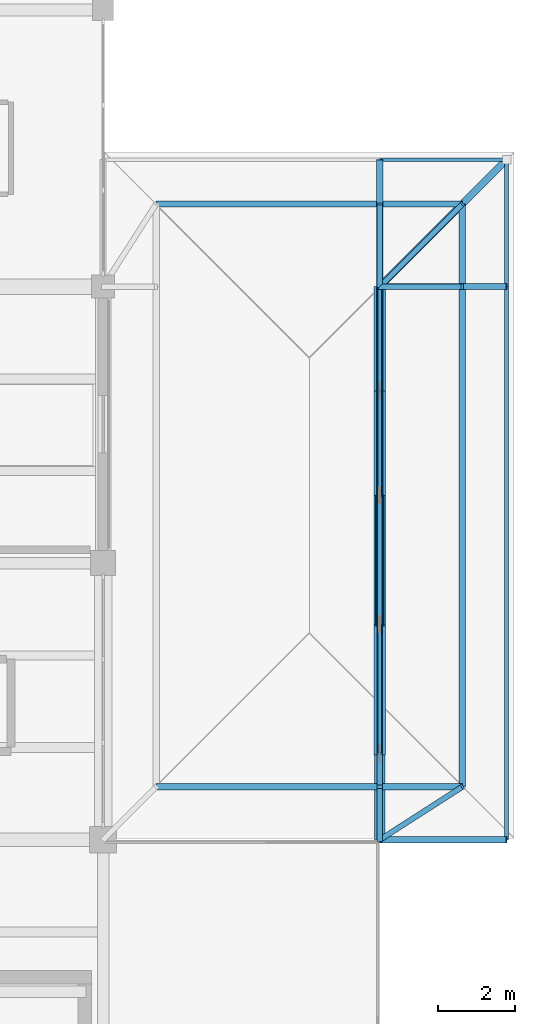
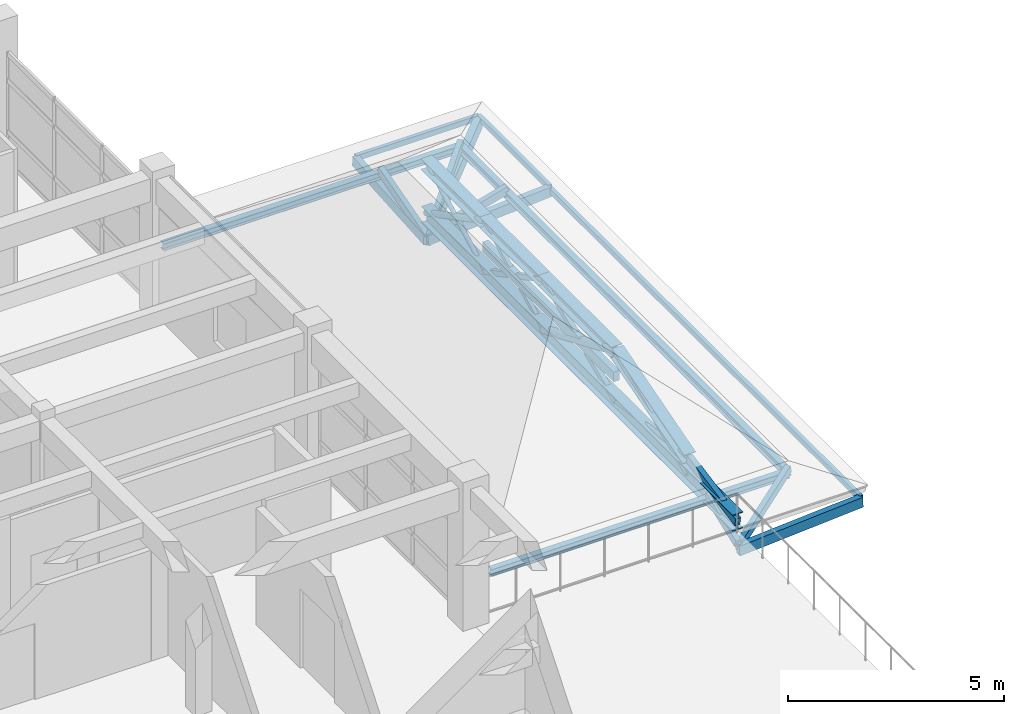
# One storey, part 22 of 55: 32 members, 1 beam.
"""IFC4 building model written with IfcOpenShell, lengths in metres."""

from ifc_helpers import new_model, si_unit, direction, frame, origin, origin_2d, place, context, subcontext, project, spatial, rectangle, hollow_rectangle, hollow_circle, i_section, extrude, material, material_profile, profile_set, type_object, element, save


model = new_model("IFC4")

# Units and contexts
model_context = context("Model", 3, precision=1e-05, world=origin(), true_north=direction((0.0, 1.0)))
body_context = subcontext(model_context, "Body", "Model", "MODEL_VIEW")
ifc_project = project(units=[si_unit("LENGTHUNIT", "METRE"), si_unit("AREAUNIT", "SQUARE_METRE"), si_unit("VOLUMEUNIT", "CUBIC_METRE"), si_unit("PLANEANGLEUNIT", "RADIAN"), si_unit("MASSUNIT", "GRAM", prefix="KILO")], contexts=[model_context])

# Site, building, storey
site_placement = place(None, origin())
site = spatial("IfcSite", under=ifc_project, at=site_placement, CompositionType="ELEMENT")
building_placement = place(site_placement, origin())
building = spatial("IfcBuilding", under=site, at=building_placement, Name="Steenspoor Specialist Clinic", CompositionType="ELEMENT")
storey_placement = place(building_placement, frame((0.0, 0.0, 13.199951171875)))
storey = spatial("IfcBuildingStorey", under=building, at=storey_placement, Name="L03", CompositionType="ELEMENT", Elevation=13.199951171875)

# Beam
ifc_material_1 = material(Name="Steel A992 Grade 50", Category="steel")
ifc_material_profile_1 = material_profile(ifc_material_1, i_section(OverallWidth=0.280029296875, OverallDepth=0.462890625, WebThickness=0.0107421875, FlangeThickness=0.017333984375, at=origin_2d()), Name="W460X113")
ifc_profile_set_1 = profile_set([ifc_material_profile_1], Name="Steel A992 Grade 50")
beam_type = type_object("IfcBeamType", Name="BM-ST-W460X113", PredefinedType="BEAM", material=ifc_profile_set_1)
beam_placement = place(storey_placement, frame((154.0, 79.550048828125, 0.25146484375), z_axis=(0.0, 1.0, 0.0), x_axis=(-1.0, 0.0, 0.0)))
element("IfcBeam", 1, at=beam_placement, inside=storey, type_object=beam_type, Name="ROOF TRUSS Bottom Tie Chord V6T2 2", PredefinedType="BEAM", context=body_context, shape_type="SweptSolid", body=[
    extrude(i_section(OverallWidth=0.280029296875, OverallDepth=0.462890625, WebThickness=0.0107421875, FlangeThickness=0.017333984375, at=origin_2d()), origin(), (0.0, 0.0, 1.0), 14.39990234375),
])

# Members
ifc_material_2 = material(Name="Steel A500 Grade C", Category="steel")
ifc_material_profile_2 = material_profile(ifc_material_2, hollow_circle(Radius=0.084228515625, WallThickness=0.007080078125, at=origin_2d()), Name="CHS168X7.1")
ifc_profile_set_2 = profile_set([ifc_material_profile_2], Name="Steel A500 Grade C")
member_type_1 = type_object("IfcMemberType", Name="MEM-BRACE-CHS168", PredefinedType="BRACE", material=ifc_profile_set_2)
member_1_placement = place(storey_placement, frame((154.0, 91.232421875, 1.673095703125), z_axis=(0.0, 0.88607758962, -0.463536951249), x_axis=(-1.0, 0.0, 0.0)))
element("IfcMember", 2, at=member_1_placement, inside=storey, type_object=member_type_1, Name="ROOF TRUSS Web Brace V6T2 2.4", PredefinedType="BRACE", context=body_context, shape_type="SweptSolid", body=[
    extrude(hollow_circle(Radius=0.084228515625, WallThickness=0.007080078125, at=origin_2d()), origin(), (0.0, 0.0, 1.0), 3.06689453125),
])
ifc_material_profile_3 = material_profile(ifc_material_2, hollow_rectangle(XDim=0.126953125, YDim=0.126953125, WallThickness=0.0087890625, at=origin_2d()), Name="HSS127X127X9.5")
ifc_profile_set_3 = profile_set([ifc_material_profile_3], Name="Steel A500 Grade C")
member_type_2 = type_object("IfcMemberType", Name="MEM-BRACE-H127A", PredefinedType="BRACE", material=ifc_profile_set_3)
member_2_placement = place(storey_placement, frame((154.0, 85.157470703125, 0.25146484375), z_axis=(0.0, 0.920850762942, 0.389915211795), x_axis=(-1.0, 0.0, 0.0)))
element("IfcMember", 3, at=member_2_placement, inside=storey, type_object=member_type_2, Name="ROOF TRUSS Web Brace V6T2 2.2", PredefinedType="BRACE", context=body_context, shape_type="SweptSolid", body=[
    extrude(hollow_rectangle(XDim=0.126953125, YDim=0.126953125, WallThickness=0.0087890625, at=origin_2d()), origin(), (0.0, 0.0, 1.0), 3.64599609375),
])
ifc_material_profile_4 = material_profile(ifc_material_2, hollow_rectangle(XDim=0.126953125, YDim=0.126953125, WallThickness=0.005859375, at=origin_2d()), Name="HSS127X127X6.4")
ifc_profile_set_4 = profile_set([ifc_material_profile_4], Name="Steel A500 Grade C")
member_type_3 = type_object("IfcMemberType", Name="MEM-BRACE-H127B", PredefinedType="BRACE", material=ifc_profile_set_4)
member_3_placement = place(storey_placement, frame((154.0, 88.514892578125, 1.673095703125), z_axis=(0.0, 0.88607758962, -0.463536951249), x_axis=(-1.0, 0.0, 0.0)))
element("IfcMember", 4, at=member_3_placement, inside=storey, type_object=member_type_3, Name="ROOF TRUSS Web Brace V6T2 2.3", PredefinedType="BRACE", context=body_context, shape_type="SweptSolid", body=[
    extrude(hollow_rectangle(XDim=0.126953125, YDim=0.126953125, WallThickness=0.005859375, at=origin_2d()), origin(), (0.0, 0.0, 1.0), 3.06689453125),
])
ifc_material_profile_5 = material_profile(ifc_material_2, hollow_rectangle(XDim=0.15234375, YDim=0.15234375, WallThickness=0.0087890625, at=origin_2d()), Name="HSS152X152X9.5")
ifc_profile_set_5 = profile_set([ifc_material_profile_5], Name="Steel A500 Grade C")
member_type_4 = type_object("IfcMemberType", Name="MEM-BRACE-H152", PredefinedType="BRACE", material=ifc_profile_set_5)
member_4_placement = place(storey_placement, frame((154.0, 81.800048828125, 0.25146484375), z_axis=(0.0, 0.920850762942, 0.389915211795), x_axis=(-1.0, 0.0, 0.0)))
element("IfcMember", 5, at=member_4_placement, inside=storey, type_object=member_type_4, Name="ROOF TRUSS Web Brace V6T2 2.1", PredefinedType="BRACE", context=body_context, shape_type="SweptSolid", body=[
    extrude(hollow_rectangle(XDim=0.15234375, YDim=0.15234375, WallThickness=0.0087890625, at=origin_2d()), origin(), (0.0, 0.0, 1.0), 3.64599609375),
])
ifc_material_profile_6 = material_profile(ifc_material_1, i_section(OverallWidth=0.304931640625, OverallDepth=0.30810546875, WebThickness=0.010009765625, FlangeThickness=0.015380859375, at=origin_2d()), Name="W310X97")
ifc_profile_set_6 = profile_set([ifc_material_profile_6], Name="Steel A992 Grade 50")
member_type_5 = type_object("IfcMemberType", Name="MEM-CHORD-W310", PredefinedType="CHORD", material=ifc_profile_set_6)
member_5_placement = place(storey_placement, frame((154.0, 81.800048828125, 0.689208984375), z_axis=(0.0, 0.959642831445, 0.281221684898), x_axis=(-1.0, 0.0, 0.0)))
element("IfcMember", 6, at=member_5_placement, inside=storey, type_object=member_type_5, Name="ROOF TRUSS Top Chord V6T2 2.1", PredefinedType="CHORD", context=body_context, shape_type="SweptSolid", body=[
    extrude(i_section(OverallWidth=0.304931640625, OverallDepth=0.30810546875, WebThickness=0.010009765625, FlangeThickness=0.015380859375, at=origin_2d()), origin(), (0.0, 0.0, 1.0), 3.49853515625),
])
member_6_placement = place(storey_placement, frame((154.0, 85.157470703125, 1.673095703125), z_axis=(0.0, 1.0, 0.0), x_axis=(-1.0, 0.0, 0.0)))
element("IfcMember", 7, at=member_6_placement, inside=storey, type_object=member_type_5, Name="ROOF TRUSS Top Chord V6T2 2.2", PredefinedType="CHORD", context=body_context, shape_type="SweptSolid", body=[
    extrude(i_section(OverallWidth=0.304931640625, OverallDepth=0.30810546875, WebThickness=0.010009765625, FlangeThickness=0.015380859375, at=origin_2d()), origin(), (0.0, 0.0, 1.0), 3.357421875),
])
for number, where, z_axis, x_axis, name in (
    (8, (154.0, 88.514892578125, 1.673095703125), (0.0, 1.0, 0.0), (-1.0, 0.0, 0.0), "ROOF TRUSS Top Chord V6T2 2.3"),
    (9, (154.0, 91.232421875, 1.673095703125), (0.0, 1.0, 0.0), (-1.0, 0.0, 0.0), "ROOF TRUSS Top Chord V6T2 2.4"),
):
    element("IfcMember", number, at=place(storey_placement, frame(where, z_axis=z_axis, x_axis=x_axis)), inside=storey, type_object=member_type_5, Name=name, PredefinedType="CHORD", context=body_context, shape_type="SweptSolid", body=[
        extrude(i_section(OverallWidth=0.304931640625, OverallDepth=0.30810546875, WebThickness=0.010009765625, FlangeThickness=0.015380859375, at=origin_2d()), origin(), (0.0, 0.0, 1.0), 2.717529296875),
    ])
ifc_material_profile_7 = material_profile(ifc_material_2, hollow_rectangle(XDim=0.1015625, YDim=0.15234375, WallThickness=0.005859375, at=origin_2d()), Name="HSS152X102X6.4")
ifc_profile_set_7 = profile_set([ifc_material_profile_7], Name="Steel A500 Grade C")
member_type_6 = type_object("IfcMemberType", Name="MEM-PURLIN-H152", PredefinedType="PURLIN", material=ifc_profile_set_7)
member_7_placement = place(storey_placement, frame((154.0, 97.25, -0.19482421875), z_axis=(1.0, 0.0, 0.0), x_axis=(0.0, 1.0, 0.0)))
element("IfcMember", 10, at=member_7_placement, inside=storey, type_object=member_type_6, Name="ROOF TRUSS Eave Fascia 481", PredefinedType="PURLIN", context=body_context, shape_type="SweptSolid", body=[
    extrude(hollow_rectangle(XDim=0.1015625, YDim=0.15234375, WallThickness=0.005859375, at=origin_2d()), origin(), (0.0, 0.0, 1.0), 3.300048828125),
])
member_8_placement = place(storey_placement, frame((157.300048828125, 79.550048828125, -0.2431640625), z_axis=(0.0, 1.0, 0.0), x_axis=(-1.0, 0.0, 0.0)))
element("IfcMember", 11, at=member_8_placement, inside=storey, type_object=member_type_6, Name="ROOF TRUSS Eave Fascia 482", PredefinedType="PURLIN", context=body_context, shape_type="SweptSolid", body=[
    extrude(hollow_rectangle(XDim=0.1015625, YDim=0.15234375, WallThickness=0.005859375, at=origin_2d()), origin(), (0.0, 0.0, 1.0), 14.39990234375),
])
member_9_placement = place(storey_placement, frame((157.300048828125, 93.949951171875, -0.19482421875), z_axis=(0.0, 1.0, 0.0), x_axis=(-1.0, 0.0, 0.0)))
element("IfcMember", 12, at=member_9_placement, inside=storey, type_object=member_type_6, Name="ROOF TRUSS Eave Fascia 483", PredefinedType="PURLIN", context=body_context, shape_type="SweptSolid", body=[
    extrude(hollow_rectangle(XDim=0.1015625, YDim=0.15234375, WallThickness=0.005859375, at=origin_2d()), origin(), (0.0, 0.0, 1.0), 3.300048828125),
])
ifc_material_profile_8 = material_profile(ifc_material_1, i_section(OverallWidth=0.1650390625, OverallDepth=0.200927734375, WebThickness=0.006103515625, FlangeThickness=0.01025390625, at=origin_2d()), Name="W200X36")
ifc_profile_set_8 = profile_set([ifc_material_profile_8], Name="Steel A992 Grade 50")
member_type_7 = type_object("IfcMemberType", Name="MEM-PURLIN-W200", PredefinedType="PURLIN", material=ifc_profile_set_8)
for number, where, z_axis, x_axis, name in (
    (13, (148.179931640625, 80.929931640625, 0.0439453125), (1.0, 0.0, 0.0), (0.0, 1.0, 0.0), "ROOF TRUSS Knuckle Purlin 484"),
    (14, (148.179931640625, 96.10009765625, 0.0439453125), (1.0, 0.0, 0.0), (0.0, 1.0, 0.0), "ROOF TRUSS Knuckle Purlin 485"),
):
    element("IfcMember", number, at=place(storey_placement, frame(where, z_axis=z_axis, x_axis=x_axis)), inside=storey, type_object=member_type_7, Name=name, PredefinedType="PURLIN", context=body_context, shape_type="SweptSolid", body=[
        extrude(i_section(OverallWidth=0.1650390625, OverallDepth=0.200927734375, WebThickness=0.006103515625, FlangeThickness=0.01025390625, at=origin_2d()), origin(), (0.0, 0.0, 1.0), 5.820068359375),
    ])
for number, where, z_axis, x_axis, name in (
    (15, (154.0, 80.929931640625, 0.0439453125), (1.0, 0.0, 0.0), (0.0, 1.0, 0.0), "ROOF TRUSS Knuckle Purlin 486"),
    (16, (154.0, 96.10009765625, 0.0439453125), (1.0, 0.0, 0.0), (0.0, 1.0, 0.0), "ROOF TRUSS Knuckle Purlin 487"),
):
    element("IfcMember", number, at=place(storey_placement, frame(where, z_axis=z_axis, x_axis=x_axis)), inside=storey, type_object=member_type_7, Name=name, PredefinedType="PURLIN", context=body_context, shape_type="SweptSolid", body=[
        extrude(i_section(OverallWidth=0.1650390625, OverallDepth=0.200927734375, WebThickness=0.006103515625, FlangeThickness=0.01025390625, at=origin_2d()), origin(), (0.0, 0.0, 1.0), 2.14990234375),
    ])
member_10_placement = place(storey_placement, frame((156.14990234375, 80.929931640625, 0.0439453125), z_axis=(0.0, 1.0, 0.0), x_axis=(-1.0, 0.0, 0.0)))
element("IfcMember", 17, at=member_10_placement, inside=storey, type_object=member_type_7, Name="ROOF TRUSS Knuckle Purlin 490", PredefinedType="PURLIN", context=body_context, shape_type="SweptSolid", body=[
    extrude(i_section(OverallWidth=0.1650390625, OverallDepth=0.200927734375, WebThickness=0.006103515625, FlangeThickness=0.01025390625, at=origin_2d()), origin(), (0.0, 0.0, 1.0), 13.02001953125),
])
member_11_placement = place(storey_placement, frame((156.14990234375, 93.949951171875, 0.0439453125), z_axis=(0.0, 1.0, 0.0), x_axis=(-1.0, 0.0, 0.0)))
element("IfcMember", 18, at=member_11_placement, inside=storey, type_object=member_type_7, Name="ROOF TRUSS Knuckle Purlin 491", PredefinedType="PURLIN", context=body_context, shape_type="SweptSolid", body=[
    extrude(i_section(OverallWidth=0.1650390625, OverallDepth=0.200927734375, WebThickness=0.006103515625, FlangeThickness=0.01025390625, at=origin_2d()), origin(), (0.0, 0.0, 1.0), 2.150146484375),
])
ifc_material_3 = material(Name="Glulam GL28h", Category="wood")
ifc_material_profile_9 = material_profile(ifc_material_3, rectangle(XDim=0.139892578125, YDim=0.219970703125, at=origin_2d()), Name="GL28H-140X220")
ifc_profile_set_9 = profile_set([ifc_material_profile_9], Name="Glulam GL28h")
member_type_8 = type_object("IfcMemberType", Name="MEM-RAFTER-GL220", PredefinedType="RAFTER", material=ifc_profile_set_9)
member_12_placement = place(storey_placement, frame((154.0, 79.550048828125, -0.35595703125), z_axis=(0.0, 0.932893944911, 0.360151200955), x_axis=(-1.0, 0.0, 0.0)))
element("IfcMember", 19, at=member_12_placement, inside=storey, type_object=member_type_8, Name="ROOF TRUSS Knuckle Rafter V6T2 323", PredefinedType="RAFTER", context=body_context, shape_type="SweptSolid", body=[
    extrude(rectangle(XDim=0.139892578125, YDim=0.219970703125, at=origin_2d()), origin(), (0.0, 0.0, 1.0), 1.479248046875),
])
member_13_placement = place(storey_placement, frame((154.0, 93.949951171875, -0.428955078125), z_axis=(0.0, 0.962536022626, 0.27115384037), x_axis=(-1.0, 0.0, 0.0)))
element("IfcMember", 20, at=member_13_placement, inside=storey, type_object=member_type_8, Name="ROOF TRUSS Knuckle Rafter V6T2 325", PredefinedType="RAFTER", context=body_context, shape_type="SweptSolid", body=[
    extrude(rectangle(XDim=0.139892578125, YDim=0.219970703125, at=origin_2d()), origin(), (0.0, 0.0, 1.0), 2.23388671875),
])
member_14_placement = place(storey_placement, frame((154.0, 93.949951171875, -0.428955078125), z_axis=(0.962527985717, 0.0, 0.271182367995), x_axis=(0.0, 1.0, 0.0)))
element("IfcMember", 21, at=member_14_placement, inside=storey, type_object=member_type_8, Name="ROOF TRUSS Knuckle Rafter V6T2 329", PredefinedType="RAFTER", context=body_context, shape_type="SweptSolid", body=[
    extrude(rectangle(XDim=0.139892578125, YDim=0.219970703125, at=origin_2d()), origin(), (0.0, 0.0, 1.0), 2.233642578125),
])
member_15_placement = place(storey_placement, frame((154.0, 79.550048828125, -0.467041015625), z_axis=(0.816054519095, 0.523772444007, 0.244371538366), x_axis=(-0.540148852348, 0.841569496422, 0.0)))
element("IfcMember", 22, at=member_15_placement, inside=storey, type_object=member_type_8, Name="ROOF TRUSS Corner Knuckle Rafter V6T2 332", PredefinedType="RAFTER", context=body_context, shape_type="SweptSolid", body=[
    extrude(rectangle(XDim=0.139892578125, YDim=0.219970703125, at=origin_2d()), origin(), (0.0, 0.0, 1.0), 2.634521484375),
])
member_16_placement = place(storey_placement, frame((154.0, 93.949951171875, -0.5), z_axis=(0.690177810739, 0.690256186598, 0.21725788001), x_axis=(-0.707146926915, 0.707066633179, 0.0)))
element("IfcMember", 23, at=member_16_placement, inside=storey, type_object=member_type_8, Name="ROOF TRUSS Corner Knuckle Rafter V6T2 334", PredefinedType="RAFTER", context=body_context, shape_type="SweptSolid", body=[
    extrude(rectangle(XDim=0.139892578125, YDim=0.219970703125, at=origin_2d()), origin(), (0.0, 0.0, 1.0), 3.114990234375),
])
member_17_placement = place(storey_placement, frame((154.0, 79.550048828125, 0.25146484375), z_axis=(0.0, 0.981595428541, 0.190972287693), x_axis=(-1.0, 0.0, 0.0)))
element("IfcMember", 24, at=member_17_placement, inside=storey, type_object=member_type_8, Name="ROOF TRUSS Heel Strut V6T2 S 2", PredefinedType="RAFTER", context=body_context, shape_type="SweptSolid", body=[
    extrude(rectangle(XDim=0.139892578125, YDim=0.219970703125, at=origin_2d()), origin(), (0.0, 0.0, 1.0), 2.292236328125),
])
ifc_material_profile_10 = material_profile(ifc_material_3, rectangle(XDim=0.159912109375, YDim=0.280029296875, at=origin_2d()), Name="GL28H-160X280")
ifc_profile_set_10 = profile_set([ifc_material_profile_10], Name="Glulam GL28h")
member_type_9 = type_object("IfcMemberType", Name="MEM-RAFTER-GL280", PredefinedType="RAFTER", material=ifc_profile_set_10)
for number, where, z_axis, x_axis, name in (
    (25, (154.0, 93.949951171875, -0.5), (0.0, 0.997513468668, 0.070476093999), (-1.0, 0.0, 0.0), "ROOF TRUSS Flared Eave Glulam Outrigger V6T2 324"),
    (26, (154.0, 79.550048828125, -0.5400390625), (0.997518653982, 0.0, 0.070402663009), (0.0, 1.0, 0.0), "ROOF TRUSS Flared Eave Glulam Outrigger V6T2 327"),
    (27, (154.0, 93.949951171875, -0.5), (0.997513468668, 0.0, 0.070476093999), (0.0, 1.0, 0.0), "ROOF TRUSS Flared Eave Glulam Outrigger V6T2 328"),
):
    element("IfcMember", number, at=place(storey_placement, frame(where, z_axis=z_axis, x_axis=x_axis)), inside=storey, type_object=member_type_9, Name=name, PredefinedType="RAFTER", context=body_context, shape_type="SweptSolid", body=[
        extrude(rectangle(XDim=0.159912109375, YDim=0.280029296875, at=origin_2d()), origin(), (0.0, 0.0, 1.0), 3.308349609375),
    ])
member_18_placement = place(storey_placement, frame((154.0, 85.157470703125, 0.9619140625), z_axis=(0.0, 1.0, 0.0), x_axis=(-1.0, 0.0, 0.0)))
element("IfcMember", 28, at=member_18_placement, inside=storey, type_object=member_type_9, Name="ROOF TRUSS Glulam Collar Rafter V6T2 2", PredefinedType="RAFTER", context=body_context, shape_type="SweptSolid", body=[
    extrude(rectangle(XDim=0.159912109375, YDim=0.280029296875, at=origin_2d()), origin(), (0.0, 0.0, 1.0), 6.074951171875),
])
ifc_material_profile_11 = material_profile(ifc_material_3, rectangle(XDim=0.179931640625, YDim=0.360107421875, at=origin_2d()), Name="GL28H-180X360")
ifc_profile_set_11 = profile_set([ifc_material_profile_11], Name="Glulam GL28h")
member_type_10 = type_object("IfcMemberType", Name="MEM-RAFTER-GL360", PredefinedType="RAFTER", material=ifc_profile_set_11)
member_19_placement = place(storey_placement, frame((154.0, 93.949951171875, -0.5), z_axis=(0.706509801958, 0.706509801958, 0.041082836749), x_axis=(-0.707106781187, 0.707106781187, 0.0)))
element("IfcMember", 29, at=member_19_placement, inside=storey, type_object=member_type_10, Name="ROOF TRUSS Corner Hip Outrigger V6T2 333", PredefinedType="RAFTER", context=body_context, shape_type="SweptSolid", body=[
    extrude(rectangle(XDim=0.179931640625, YDim=0.360107421875, at=origin_2d()), origin(), (0.0, 0.0, 1.0), 4.6708984375),
])
ifc_material_profile_12 = material_profile(ifc_material_2, hollow_circle(Radius=0.05712890625, WallThickness=0.006103515625, at=origin_2d()), Name="CHS114X6.0")
ifc_profile_set_12 = profile_set([ifc_material_profile_12], Name="Steel A500 Grade C")
member_type_11 = type_object("IfcMemberType", Name="MEM-STRUT-CHS114", PredefinedType="STRUT", material=ifc_profile_set_12)
member_20_placement = place(storey_placement, frame((154.0, 81.800048828125, 0.689208984375), z_axis=(0.0, 0.991607245167, -0.12928677942), x_axis=(-1.0, 0.0, 0.0)))
element("IfcMember", 30, at=member_20_placement, inside=storey, type_object=member_type_11, Name="ROOF TRUSS Web Strut V6T2 2.1", PredefinedType="STRUT", context=body_context, shape_type="SweptSolid", body=[
    extrude(hollow_circle(Radius=0.05712890625, WallThickness=0.006103515625, at=origin_2d()), origin(), (0.0, 0.0, 1.0), 3.3857421875),
])
member_21_placement = place(storey_placement, frame((154.0, 91.232421875, 0.25146484375), z_axis=(0.0, 0.88607758962, 0.463536951249), x_axis=(-1.0, 0.0, 0.0)))
element("IfcMember", 31, at=member_21_placement, inside=storey, type_object=member_type_11, Name="ROOF TRUSS Web Strut V6T2 2.4", PredefinedType="STRUT", context=body_context, shape_type="SweptSolid", body=[
    extrude(hollow_circle(Radius=0.05712890625, WallThickness=0.006103515625, at=origin_2d()), origin(), (0.0, 0.0, 1.0), 3.06689453125),
])
ifc_material_profile_13 = material_profile(ifc_material_2, hollow_circle(Radius=0.109619140625, WallThickness=0.00830078125, at=origin_2d()), Name="CHS219X8.2")
ifc_profile_set_13 = profile_set([ifc_material_profile_13], Name="Steel A500 Grade C")
member_type_12 = type_object("IfcMemberType", Name="MEM-STRUT-CHS219", PredefinedType="STRUT", material=ifc_profile_set_13)
member_22_placement = place(storey_placement, frame((154.0, 85.157470703125, 1.673095703125), z_axis=(0.0, 0.920850762942, -0.389915211795), x_axis=(-1.0, 0.0, 0.0)))
element("IfcMember", 32, at=member_22_placement, inside=storey, type_object=member_type_12, Name="ROOF TRUSS Web Strut V6T2 2.2", PredefinedType="STRUT", context=body_context, shape_type="SweptSolid", body=[
    extrude(hollow_circle(Radius=0.109619140625, WallThickness=0.00830078125, at=origin_2d()), origin(), (0.0, 0.0, 1.0), 3.64599609375),
])
ifc_material_profile_14 = material_profile(ifc_material_2, hollow_rectangle(XDim=0.1015625, YDim=0.1015625, WallThickness=0.005859375, at=origin_2d()), Name="HSS102X102X6.4")
ifc_profile_set_14 = profile_set([ifc_material_profile_14], Name="Steel A500 Grade C")
member_type_13 = type_object("IfcMemberType", Name="MEM-STRUT-H102", PredefinedType="STRUT", material=ifc_profile_set_14)
member_23_placement = place(storey_placement, frame((154.0, 88.514892578125, 0.25146484375), z_axis=(0.0, 0.88607758962, 0.463536951249), x_axis=(-1.0, 0.0, 0.0)))
element("IfcMember", 33, at=member_23_placement, inside=storey, type_object=member_type_13, Name="ROOF TRUSS Web Strut V6T2 2.3", PredefinedType="STRUT", context=body_context, shape_type="SweptSolid", body=[
    extrude(hollow_rectangle(XDim=0.1015625, YDim=0.1015625, WallThickness=0.005859375, at=origin_2d()), origin(), (0.0, 0.0, 1.0), 3.06689453125),
])

save(model, "model.ifc")
